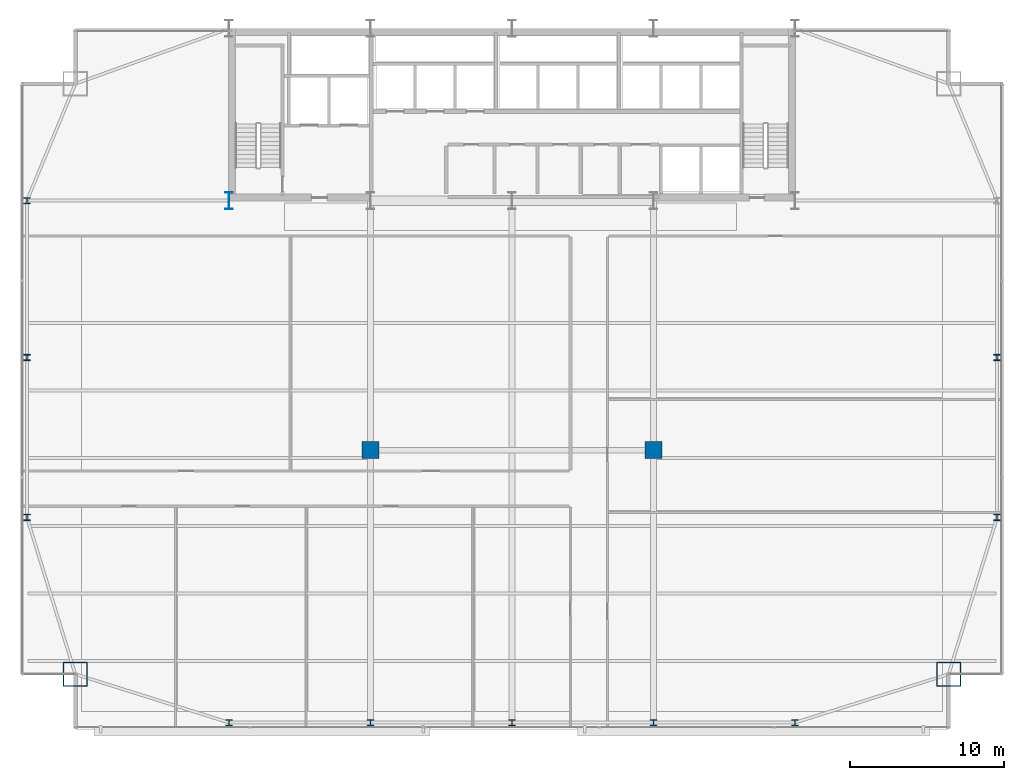
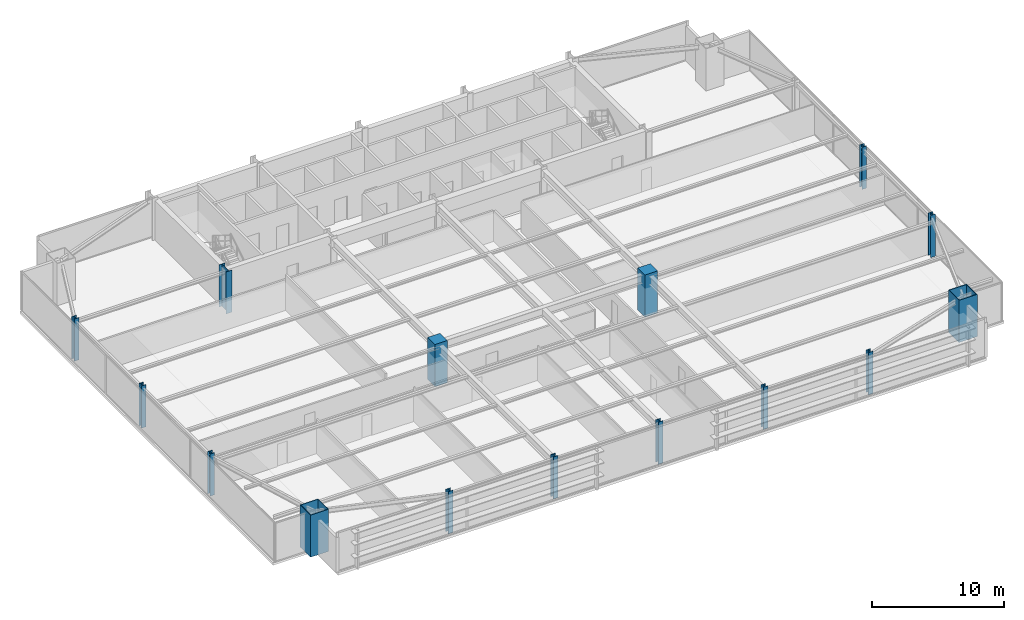
# One storey, part 1 of 30: 15 columns.
"""IFC4 building model written with IfcOpenShell, lengths in metres."""

from ifc_helpers import new_model, si_unit, direction, frame, origin, origin_2d, place, context, subcontext, project, spatial, rectangle, hollow_rectangle, i_section, extrude, source, transform, mapped, material, material_profile, profile_set, type_object, type_shapes, element, save


model = new_model("IFC4")

# Units and contexts
model_context = context("Model", 3, precision=1e-05, world=origin(), true_north=direction((0.0, 1.0)))
body_context = subcontext(model_context, "Body", "Model", "MODEL_VIEW")
ifc_project = project(units=[si_unit("LENGTHUNIT", "METRE"), si_unit("AREAUNIT", "SQUARE_METRE"), si_unit("VOLUMEUNIT", "CUBIC_METRE"), si_unit("PLANEANGLEUNIT", "RADIAN"), si_unit("MASSUNIT", "GRAM", prefix="KILO")], contexts=[model_context])

# Site, building, storey
site_placement = place(None, origin())
site = spatial("IfcSite", under=ifc_project, at=site_placement, CompositionType="ELEMENT")
building_placement = place(site_placement, origin())
building = spatial("IfcBuilding", under=site, at=building_placement, Name="Varnel Quay Broadcast Tower", CompositionType="ELEMENT")
storey_placement = place(building_placement, frame((0.0, 0.0, 62.699951171875)))
storey = spatial("IfcBuildingStorey", under=building, at=storey_placement, Name="L14", CompositionType="ELEMENT", Elevation=62.699951171875)

# Columns
ifc_material_1 = material(Name="Structural Steel CSA G40.21 350WT", Category="steel")
ifc_material_profile_1 = material_profile(ifc_material_1, i_section(OverallWidth=0.5, OverallDepth=1.10009765625, WebThickness=0.01806640625, FlangeThickness=0.031982421875, FilletRadius=0.01806640625, at=origin_2d()), Name="WWF1100X418")
ifc_profile_set_1 = profile_set([ifc_material_profile_1], Name="Structural Steel CSA G40.21 350WT")
column_type_1 = type_object("IfcColumnType", Name="Col_WWF1100X418", PredefinedType="COLUMN", material=ifc_profile_set_1)
shared_shape_1 = source(origin(), body_context, "Body", "SweptSolid", [
    extrude(i_section(OverallWidth=0.5, OverallDepth=1.10009765625, WebThickness=0.01806640625, FlangeThickness=0.031982421875, FilletRadius=0.01806640625, at=origin_2d()), origin(), (0.0, 0.0, 1.0), 3.900146484375),
])
type_shapes(column_type_1, [shared_shape_1])
column_placement = place(storey_placement, frame((15.60009765625, 35.60009765625, 0.0), z_axis=(0.0, 0.0, 1.0), x_axis=(1.0, 0.0, 0.0)))
element("IfcColumn", 1, at=column_placement, inside=storey, type_object=column_type_1, Name="L14 Column CC-S1", PredefinedType="COLUMN", context=body_context, shape_type="MappedRepresentation", body=[
    mapped(shared_shape_1, transform((0.0, 0.0, 0.0), x_axis=(1.0, 0.0, 0.0), y_axis=(0.0, 1.0, 0.0), z_axis=(0.0, 0.0, 1.0), scale=1.0)),
])
ifc_material_profile_2 = material_profile(ifc_material_1, hollow_rectangle(XDim=1.60009765625, YDim=1.60009765625, WallThickness=0.06005859375, at=origin_2d()), Name="BOX1600X1600X60")
ifc_profile_set_2 = profile_set([ifc_material_profile_2], Name="Structural Steel CSA G40.21 350WT")
column_type_2 = type_object("IfcColumnType", Name="Col_BOX1600X1600X60", PredefinedType="COLUMN", material=ifc_profile_set_2)
shared_shape_2 = source(origin(), body_context, "Body", "SweptSolid", [
    extrude(hollow_rectangle(XDim=1.60009765625, YDim=1.60009765625, WallThickness=0.06005859375, at=origin_2d()), origin(), (0.0, 0.0, 1.0), 3.900146484375),
])
type_shapes(column_type_2, [shared_shape_2])
for number, where, z_axis, x_axis, name in (
    (2, (5.60009765625, 4.800048828125, 0.0), (0.0, 0.0, 1.0), (1.0, 0.0, 0.0), "L14 Column MC-SW"),
    (3, (62.39990234375, 4.800048828125, 0.0), (0.0, 0.0, 1.0), (1.0, 0.0, 0.0), "L14 Column MC-SE"),
):
    element("IfcColumn", number, at=place(storey_placement, frame(where, z_axis=z_axis, x_axis=x_axis)), inside=storey, type_object=column_type_2, Name=name, PredefinedType="COLUMN", context=body_context, shape_type="MappedRepresentation", body=[
        mapped(shared_shape_2, transform((0.0, 0.0, 0.0), x_axis=(1.0, 0.0, 0.0), y_axis=(0.0, 1.0, 0.0), z_axis=(0.0, 0.0, 1.0), scale=1.0)),
    ])
ifc_material_2 = material(Name="Structural Steel CSA G40.21 350W", Category="steel")
ifc_material_profile_3 = material_profile(ifc_material_2, i_section(OverallWidth=0.404052734375, OverallDepth=0.406982421875, WebThickness=0.027099609375, FlangeThickness=0.043701171875, FilletRadius=0.01806640625, at=origin_2d()), Name="W360X347")
ifc_profile_set_3 = profile_set([ifc_material_profile_3], Name="Structural Steel CSA G40.21 350W")
column_type_3 = type_object("IfcColumnType", Name="Col_W360X347", PredefinedType="COLUMN", material=ifc_profile_set_3)
shared_shape_3 = source(origin(), body_context, "Body", "SweptSolid", [
    extrude(i_section(OverallWidth=0.404052734375, OverallDepth=0.406982421875, WebThickness=0.027099609375, FlangeThickness=0.043701171875, FilletRadius=0.01806640625, at=origin_2d()), origin(), (0.0, 0.0, 1.0), 3.900146484375),
])
type_shapes(column_type_3, [shared_shape_3])
for number, where, z_axis, x_axis, name in (
    (4, (15.60009765625, 1.64990234375, 0.0), (0.0, 0.0, 1.0), (1.0, 0.0, 0.0), "L14 Column TC-S1"),
    (5, (24.800048828125, 1.64990234375, 0.0), (0.0, 0.0, 1.0), (1.0, 0.0, 0.0), "L14 Column TC-S2"),
    (6, (34.0, 1.64990234375, 0.0), (0.0, 0.0, 1.0), (1.0, 0.0, 0.0), "L14 Column TC-S3"),
    (7, (43.199951171875, 1.64990234375, 0.0), (0.0, 0.0, 1.0), (1.0, 0.0, 0.0), "L14 Column TC-S4"),
    (8, (52.39990234375, 1.64990234375, 0.0), (0.0, 0.0, 1.0), (1.0, 0.0, 0.0), "L14 Column TC-S5"),
    (9, (2.449951171875, 15.0, 0.0), (0.0, 0.0, 1.0), (1.0, 0.0, 0.0), "L14 Column TC-W1"),
    (10, (65.550048828125, 15.0, 0.0), (0.0, 0.0, 1.0), (1.0, 0.0, 0.0), "L14 Column TC-E1"),
    (11, (2.449951171875, 25.39990234375, 0.0), (0.0, 0.0, 1.0), (1.0, 0.0, 0.0), "L14 Column TC-W2"),
    (12, (65.550048828125, 25.39990234375, 0.0), (0.0, 0.0, 1.0), (1.0, 0.0, 0.0), "L14 Column TC-E2"),
    (13, (2.449951171875, 35.60009765625, 0.0), (0.0, 0.0, 1.0), (1.0, 0.0, 0.0), "L14 Column TC-W3"),
):
    element("IfcColumn", number, at=place(storey_placement, frame(where, z_axis=z_axis, x_axis=x_axis)), inside=storey, type_object=column_type_3, Name=name, PredefinedType="COLUMN", context=body_context, shape_type="MappedRepresentation", body=[
        mapped(shared_shape_3, transform((0.0, 0.0, 0.0), x_axis=(1.0, 0.0, 0.0), y_axis=(0.0, 1.0, 0.0), z_axis=(0.0, 0.0, 1.0), scale=1.0)),
    ])
ifc_material_3 = material(Name="Concrete CSA A23.3 C60/75", Category="concrete")
ifc_material_profile_4 = material_profile(ifc_material_3, rectangle(XDim=1.10009765625, YDim=1.10009765625, at=origin_2d()), Name="RC1100X1100")
ifc_profile_set_4 = profile_set([ifc_material_profile_4], Name="Concrete CSA A23.3 C60/75")
column_type_4 = type_object("IfcColumnType", Name="Col_RC1100X1100", PredefinedType="COLUMN", material=ifc_profile_set_4)
shared_shape_4 = source(origin(), body_context, "Body", "SweptSolid", [
    extrude(rectangle(XDim=1.10009765625, YDim=1.10009765625, at=origin_2d()), origin(), (0.0, 0.0, 1.0), 3.900146484375),
])
type_shapes(column_type_4, [shared_shape_4])
for number, where, z_axis, x_axis, name in (
    (14, (24.800048828125, 19.3701171875, 0.0), (0.0, 0.0, 1.0), (1.0, 0.0, 0.0), "L14 Column IC-01"),
    (15, (43.199951171875, 19.3701171875, 0.0), (0.0, 0.0, 1.0), (1.0, 0.0, 0.0), "L14 Column IC-02"),
):
    element("IfcColumn", number, at=place(storey_placement, frame(where, z_axis=z_axis, x_axis=x_axis)), inside=storey, type_object=column_type_4, Name=name, PredefinedType="COLUMN", context=body_context, shape_type="MappedRepresentation", body=[
        mapped(shared_shape_4, transform((0.0, 0.0, 0.0), x_axis=(1.0, 0.0, 0.0), y_axis=(0.0, 1.0, 0.0), z_axis=(0.0, 0.0, 1.0), scale=1.0)),
    ])

save(model, "model.ifc")
